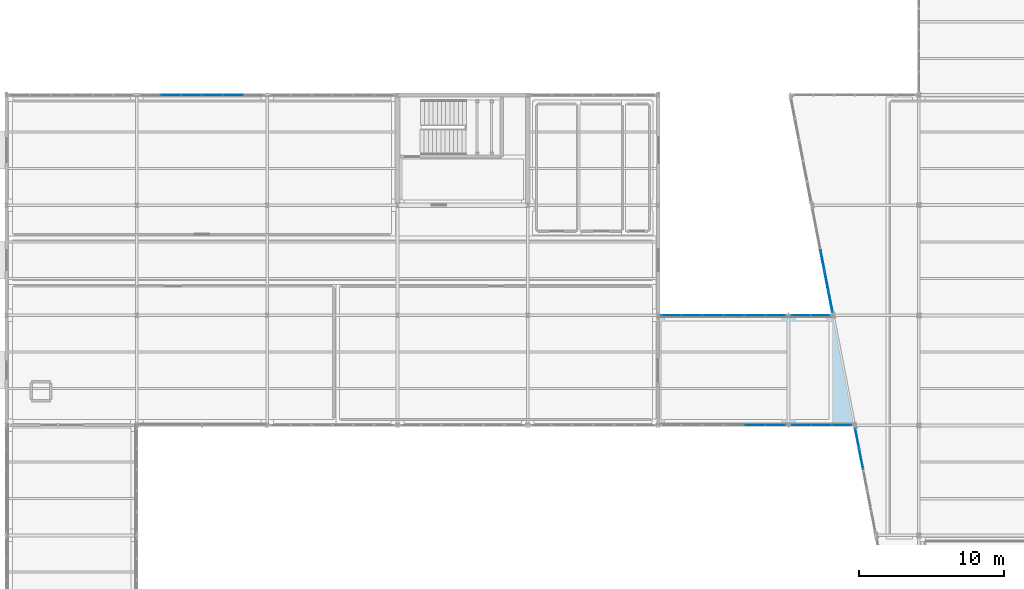
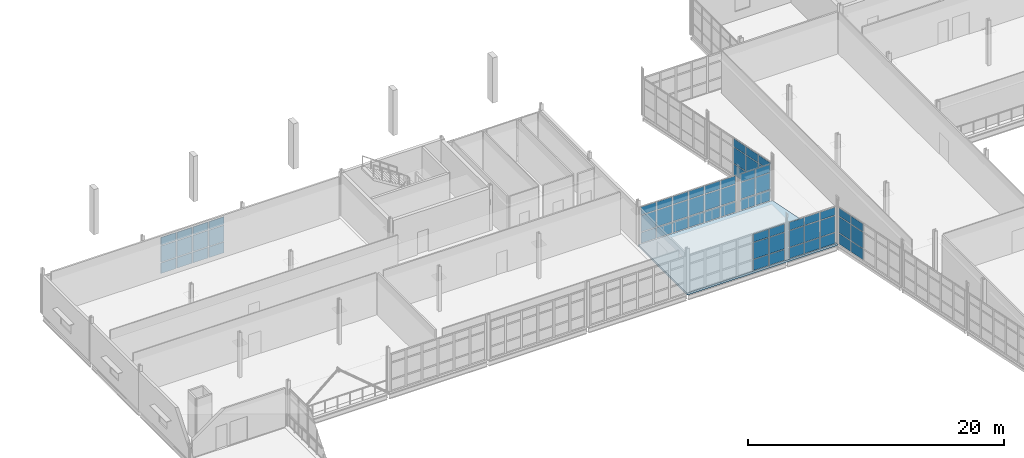
# One storey, part 133 of 166: 66 plates, 1 slab, 7 elements without a shape of their own.
"""IFC4 building model written with IfcOpenShell, lengths in metres."""

from ifc_helpers import new_model, si_unit, direction, frame, origin, origin_2d, place, context, subcontext, project, spatial, polyline, rectangle, outline, extrude, material, layer, layer_set, type_object, element, aggregate, save


model = new_model("IFC4")

# Units and contexts
model_context = context("Model", 3, precision=1e-05, world=origin(), true_north=direction((0.0, 1.0)))
body_context = subcontext(model_context, "Body", "Model", "MODEL_VIEW")
ifc_project = project(units=[si_unit("LENGTHUNIT", "METRE"), si_unit("AREAUNIT", "SQUARE_METRE"), si_unit("VOLUMEUNIT", "CUBIC_METRE"), si_unit("PLANEANGLEUNIT", "RADIAN"), si_unit("MASSUNIT", "GRAM", prefix="KILO")], contexts=[model_context])

# Site, building, storey
site_placement = place(None, origin())
site = spatial("IfcSite", under=ifc_project, at=site_placement, CompositionType="ELEMENT")
building_placement = place(site_placement, origin())
building = spatial("IfcBuilding", under=site, at=building_placement, Name="Caisbarro Railhouse Central Library", CompositionType="ELEMENT")
storey_placement = place(building_placement, frame((0.0, 0.0, 9.360107421875)))
storey = spatial("IfcBuildingStorey", under=building, at=storey_placement, Name="L02", CompositionType="ELEMENT", Elevation=9.360107421875)

# Curtain wall, plates
ifc_material_1 = material(Name="Anodised architectural aluminium", Category="aluminium")
curtain_wall_type_1 = type_object("IfcCurtainWallType", Name="CW-CW03", PredefinedType="NOTDEFINED", material=ifc_material_1)
curtain_wall_1_placement = place(storey_placement, origin())
curtain_wall_1 = element("IfcCurtainWall", 1, at=curtain_wall_1_placement, inside=storey, type_object=curtain_wall_type_1, Name="CW03 curtain wall L02 #208", PredefinedType="NOTDEFINED")
ifc_material_2 = material(Name="Double low-e laminated solar-control glass", Category="glass")
ifc_layer_1 = layer(ifc_material_2, 0.01806640625, Name="Double low-e laminated solar-control glass")
ifc_layer_set_1 = layer_set([ifc_layer_1], Name="Double low-e laminated solar-control glass")
plate_type_1 = type_object("IfcPlateType", Name="CWP-CP18", PredefinedType="CURTAIN_PANEL", material=ifc_layer_set_1)
plate_1_placement = place(storey_placement, frame((105.669921875, 83.60009765625, 0.06494140625), z_axis=(0.0, 0.0, 1.0), x_axis=(1.0, 0.0, 0.0)))
plate_1 = element("IfcPlate", 2, at=plate_1_placement, type_object=plate_type_1, Name="CW03 panel 5.1", PredefinedType="CURTAIN_PANEL", context=body_context, shape_type="SweptSolid", body=[
    extrude(rectangle(XDim=1.381591796875, YDim=0.01806640625, at=origin_2d()), origin(), (0.0, 0.0, 1.0), 1.0224609375),
])
plate_2_placement = place(storey_placement, frame((105.669921875, 83.60009765625, 1.15234375), z_axis=(0.0, 0.0, 1.0), x_axis=(1.0, 0.0, 0.0)))
plate_2 = element("IfcPlate", 3, at=plate_2_placement, type_object=plate_type_1, Name="CW03 panel 5.2", PredefinedType="CURTAIN_PANEL", context=body_context, shape_type="SweptSolid", body=[
    extrude(rectangle(XDim=1.381591796875, YDim=0.01806640625, at=origin_2d()), origin(), (0.0, 0.0, 1.0), 1.554931640625),
])
plate_3_placement = place(storey_placement, frame((105.669921875, 83.60009765625, 2.7724609375), z_axis=(0.0, 0.0, 1.0), x_axis=(1.0, 0.0, 0.0)))
plate_3 = element("IfcPlate", 4, at=plate_3_placement, type_object=plate_type_1, Name="CW03 panel 5.3", PredefinedType="CURTAIN_PANEL", context=body_context, shape_type="SweptSolid", body=[
    extrude(rectangle(XDim=1.381591796875, YDim=0.01806640625, at=origin_2d()), origin(), (0.0, 0.0, 1.0), 0.75244140625),
])
plate_4_placement = place(storey_placement, frame((107.100341796875, 83.60009765625, 0.06494140625), z_axis=(0.0, 0.0, 1.0), x_axis=(1.0, 0.0, 0.0)))
plate_4 = element("IfcPlate", 5, at=plate_4_placement, type_object=plate_type_1, Name="CW03 panel 6.1", PredefinedType="CURTAIN_PANEL", context=body_context, shape_type="SweptSolid", body=[
    extrude(rectangle(XDim=1.34912109375, YDim=0.01806640625, at=origin_2d()), origin(), (0.0, 0.0, 1.0), 1.0224609375),
])
plate_5_placement = place(storey_placement, frame((107.100341796875, 83.60009765625, 1.15234375), z_axis=(0.0, 0.0, 1.0), x_axis=(1.0, 0.0, 0.0)))
plate_5 = element("IfcPlate", 6, at=plate_5_placement, type_object=plate_type_1, Name="CW03 panel 6.2", PredefinedType="CURTAIN_PANEL", context=body_context, shape_type="SweptSolid", body=[
    extrude(rectangle(XDim=1.34912109375, YDim=0.01806640625, at=origin_2d()), origin(), (0.0, 0.0, 1.0), 1.554931640625),
])
plate_6_placement = place(storey_placement, frame((107.100341796875, 83.60009765625, 2.7724609375), z_axis=(0.0, 0.0, 1.0), x_axis=(1.0, 0.0, 0.0)))
plate_6 = element("IfcPlate", 7, at=plate_6_placement, type_object=plate_type_1, Name="CW03 panel 6.3", PredefinedType="CURTAIN_PANEL", context=body_context, shape_type="SweptSolid", body=[
    extrude(rectangle(XDim=1.34912109375, YDim=0.01806640625, at=origin_2d()), origin(), (0.0, 0.0, 1.0), 0.75244140625),
])
aggregate(curtain_wall_1, [plate_1, plate_2, plate_3, plate_4, plate_5, plate_6])

curtain_wall_2_placement = place(storey_placement, origin())
curtain_wall_2 = element("IfcCurtainWall", 8, at=curtain_wall_2_placement, inside=storey, type_object=curtain_wall_type_1, Name="CW03 curtain wall L02 #209", PredefinedType="NOTDEFINED")
plate_7_placement = place(storey_placement, frame((108.88427734375, 83.60009765625, 0.06494140625), z_axis=(0.0, 0.0, 1.0), x_axis=(1.0, 0.0, 0.0)))
plate_7 = element("IfcPlate", 9, at=plate_7_placement, type_object=plate_type_1, Name="CW03 panel 1.1", PredefinedType="CURTAIN_PANEL", context=body_context, shape_type="SweptSolid", body=[
    extrude(rectangle(XDim=1.318603515625, YDim=0.01806640625, at=origin_2d()), origin(), (0.0, 0.0, 1.0), 1.0224609375),
])
plate_8_placement = place(storey_placement, frame((108.88427734375, 83.60009765625, 1.15234375), z_axis=(0.0, 0.0, 1.0), x_axis=(1.0, 0.0, 0.0)))
plate_8 = element("IfcPlate", 10, at=plate_8_placement, type_object=plate_type_1, Name="CW03 panel 1.2", PredefinedType="CURTAIN_PANEL", context=body_context, shape_type="SweptSolid", body=[
    extrude(rectangle(XDim=1.318603515625, YDim=0.01806640625, at=origin_2d()), origin(), (0.0, 0.0, 1.0), 1.554931640625),
])
plate_9_placement = place(storey_placement, frame((108.88427734375, 83.60009765625, 2.7724609375), z_axis=(0.0, 0.0, 1.0), x_axis=(1.0, 0.0, 0.0)))
plate_9 = element("IfcPlate", 11, at=plate_9_placement, type_object=plate_type_1, Name="CW03 panel 1.3", PredefinedType="CURTAIN_PANEL", context=body_context, shape_type="SweptSolid", body=[
    extrude(rectangle(XDim=1.318603515625, YDim=0.01806640625, at=origin_2d()), origin(), (0.0, 0.0, 1.0), 0.75244140625),
])
plate_10_placement = place(storey_placement, frame((110.283935546875, 83.60009765625, 0.06494140625), z_axis=(0.0, 0.0, 1.0), x_axis=(1.0, 0.0, 0.0)))
plate_10 = element("IfcPlate", 12, at=plate_10_placement, type_object=plate_type_1, Name="CW03 panel 2.1", PredefinedType="CURTAIN_PANEL", context=body_context, shape_type="SweptSolid", body=[
    extrude(rectangle(XDim=1.35107421875, YDim=0.01806640625, at=origin_2d()), origin(), (0.0, 0.0, 1.0), 1.0224609375),
])
plate_11_placement = place(storey_placement, frame((110.283935546875, 83.60009765625, 1.15234375), z_axis=(0.0, 0.0, 1.0), x_axis=(1.0, 0.0, 0.0)))
plate_11 = element("IfcPlate", 13, at=plate_11_placement, type_object=plate_type_1, Name="CW03 panel 2.2", PredefinedType="CURTAIN_PANEL", context=body_context, shape_type="SweptSolid", body=[
    extrude(rectangle(XDim=1.35107421875, YDim=0.01806640625, at=origin_2d()), origin(), (0.0, 0.0, 1.0), 1.554931640625),
])
plate_12_placement = place(storey_placement, frame((110.283935546875, 83.60009765625, 2.7724609375), z_axis=(0.0, 0.0, 1.0), x_axis=(1.0, 0.0, 0.0)))
plate_12 = element("IfcPlate", 14, at=plate_12_placement, type_object=plate_type_1, Name="CW03 panel 2.3", PredefinedType="CURTAIN_PANEL", context=body_context, shape_type="SweptSolid", body=[
    extrude(rectangle(XDim=1.35107421875, YDim=0.01806640625, at=origin_2d()), origin(), (0.0, 0.0, 1.0), 0.75244140625),
])
plate_13_placement = place(storey_placement, frame((111.683837890625, 83.60009765625, 0.06494140625), z_axis=(0.0, 0.0, 1.0), x_axis=(1.0, 0.0, 0.0)))
plate_13 = element("IfcPlate", 15, at=plate_13_placement, type_object=plate_type_1, Name="CW03 panel 3.1", PredefinedType="CURTAIN_PANEL", context=body_context, shape_type="SweptSolid", body=[
    extrude(rectangle(XDim=1.318603515625, YDim=0.01806640625, at=origin_2d()), origin(), (0.0, 0.0, 1.0), 1.0224609375),
])
plate_14_placement = place(storey_placement, frame((111.683837890625, 83.60009765625, 1.15234375), z_axis=(0.0, 0.0, 1.0), x_axis=(1.0, 0.0, 0.0)))
plate_14 = element("IfcPlate", 16, at=plate_14_placement, type_object=plate_type_1, Name="CW03 panel 3.2", PredefinedType="CURTAIN_PANEL", context=body_context, shape_type="SweptSolid", body=[
    extrude(rectangle(XDim=1.318603515625, YDim=0.01806640625, at=origin_2d()), origin(), (0.0, 0.0, 1.0), 1.554931640625),
])
plate_15_placement = place(storey_placement, frame((111.683837890625, 83.60009765625, 2.7724609375), z_axis=(0.0, 0.0, 1.0), x_axis=(1.0, 0.0, 0.0)))
plate_15 = element("IfcPlate", 17, at=plate_15_placement, type_object=plate_type_1, Name="CW03 panel 3.3", PredefinedType="CURTAIN_PANEL", context=body_context, shape_type="SweptSolid", body=[
    extrude(rectangle(XDim=1.318603515625, YDim=0.01806640625, at=origin_2d()), origin(), (0.0, 0.0, 1.0), 0.75244140625),
])
aggregate(curtain_wall_2, [plate_7, plate_8, plate_9, plate_10, plate_11, plate_12, plate_13, plate_14, plate_15])

curtain_wall_3_placement = place(storey_placement, origin())
curtain_wall_3 = element("IfcCurtainWall", 18, at=curtain_wall_3_placement, inside=storey, type_object=curtain_wall_type_1, Name="CW03 curtain wall L02 #210", PredefinedType="NOTDEFINED")
plate_16_placement = place(storey_placement, frame((99.899658203125, 91.199951171875, 0.06494140625), z_axis=(0.0, 0.0, 1.0), x_axis=(1.0, 0.0, 0.0)))
plate_16 = element("IfcPlate", 19, at=plate_16_placement, type_object=plate_type_1, Name="CW03 panel 1.1", PredefinedType="CURTAIN_PANEL", context=body_context, shape_type="SweptSolid", body=[
    extrude(rectangle(XDim=1.34912109375, YDim=0.01806640625, at=origin_2d()), origin(), (0.0, 0.0, 1.0), 1.0224609375),
])
plate_17_placement = place(storey_placement, frame((99.899658203125, 91.199951171875, 1.15234375), z_axis=(0.0, 0.0, 1.0), x_axis=(1.0, 0.0, 0.0)))
plate_17 = element("IfcPlate", 20, at=plate_17_placement, type_object=plate_type_1, Name="CW03 panel 1.2", PredefinedType="CURTAIN_PANEL", context=body_context, shape_type="SweptSolid", body=[
    extrude(rectangle(XDim=1.34912109375, YDim=0.01806640625, at=origin_2d()), origin(), (0.0, 0.0, 1.0), 1.554931640625),
])
plate_18_placement = place(storey_placement, frame((99.899658203125, 91.199951171875, 2.7724609375), z_axis=(0.0, 0.0, 1.0), x_axis=(1.0, 0.0, 0.0)))
plate_18 = element("IfcPlate", 21, at=plate_18_placement, type_object=plate_type_1, Name="CW03 panel 1.3", PredefinedType="CURTAIN_PANEL", context=body_context, shape_type="SweptSolid", body=[
    extrude(rectangle(XDim=1.34912109375, YDim=0.01806640625, at=origin_2d()), origin(), (0.0, 0.0, 1.0), 0.75244140625),
])
plate_19_placement = place(storey_placement, frame((101.330078125, 91.199951171875, 0.06494140625), z_axis=(0.0, 0.0, 1.0), x_axis=(1.0, 0.0, 0.0)))
plate_19 = element("IfcPlate", 22, at=plate_19_placement, type_object=plate_type_1, Name="CW03 panel 2.1", PredefinedType="CURTAIN_PANEL", context=body_context, shape_type="SweptSolid", body=[
    extrude(rectangle(XDim=1.381591796875, YDim=0.01806640625, at=origin_2d()), origin(), (0.0, 0.0, 1.0), 1.0224609375),
])
plate_20_placement = place(storey_placement, frame((101.330078125, 91.199951171875, 1.15234375), z_axis=(0.0, 0.0, 1.0), x_axis=(1.0, 0.0, 0.0)))
plate_20 = element("IfcPlate", 23, at=plate_20_placement, type_object=plate_type_1, Name="CW03 panel 2.2", PredefinedType="CURTAIN_PANEL", context=body_context, shape_type="SweptSolid", body=[
    extrude(rectangle(XDim=1.381591796875, YDim=0.01806640625, at=origin_2d()), origin(), (0.0, 0.0, 1.0), 1.554931640625),
])
plate_21_placement = place(storey_placement, frame((101.330078125, 91.199951171875, 2.7724609375), z_axis=(0.0, 0.0, 1.0), x_axis=(1.0, 0.0, 0.0)))
plate_21 = element("IfcPlate", 24, at=plate_21_placement, type_object=plate_type_1, Name="CW03 panel 2.3", PredefinedType="CURTAIN_PANEL", context=body_context, shape_type="SweptSolid", body=[
    extrude(rectangle(XDim=1.381591796875, YDim=0.01806640625, at=origin_2d()), origin(), (0.0, 0.0, 1.0), 0.75244140625),
])
plate_22_placement = place(storey_placement, frame((102.776611328125, 91.199951171875, 0.06494140625), z_axis=(0.0, 0.0, 1.0), x_axis=(1.0, 0.0, 0.0)))
plate_22 = element("IfcPlate", 25, at=plate_22_placement, type_object=plate_type_1, Name="CW03 panel 3.1", PredefinedType="CURTAIN_PANEL", context=body_context, shape_type="SweptSolid", body=[
    extrude(rectangle(XDim=1.381591796875, YDim=0.01806640625, at=origin_2d()), origin(), (0.0, 0.0, 1.0), 1.0224609375),
])
plate_23_placement = place(storey_placement, frame((102.776611328125, 91.199951171875, 1.15234375), z_axis=(0.0, 0.0, 1.0), x_axis=(1.0, 0.0, 0.0)))
plate_23 = element("IfcPlate", 26, at=plate_23_placement, type_object=plate_type_1, Name="CW03 panel 3.2", PredefinedType="CURTAIN_PANEL", context=body_context, shape_type="SweptSolid", body=[
    extrude(rectangle(XDim=1.381591796875, YDim=0.01806640625, at=origin_2d()), origin(), (0.0, 0.0, 1.0), 1.554931640625),
])
plate_24_placement = place(storey_placement, frame((102.776611328125, 91.199951171875, 2.7724609375), z_axis=(0.0, 0.0, 1.0), x_axis=(1.0, 0.0, 0.0)))
plate_24 = element("IfcPlate", 27, at=plate_24_placement, type_object=plate_type_1, Name="CW03 panel 3.3", PredefinedType="CURTAIN_PANEL", context=body_context, shape_type="SweptSolid", body=[
    extrude(rectangle(XDim=1.381591796875, YDim=0.01806640625, at=origin_2d()), origin(), (0.0, 0.0, 1.0), 0.75244140625),
])
plate_25_placement = place(storey_placement, frame((104.223388671875, 91.199951171875, 0.06494140625), z_axis=(0.0, 0.0, 1.0), x_axis=(1.0, 0.0, 0.0)))
plate_25 = element("IfcPlate", 28, at=plate_25_placement, type_object=plate_type_1, Name="CW03 panel 4.1", PredefinedType="CURTAIN_PANEL", context=body_context, shape_type="SweptSolid", body=[
    extrude(rectangle(XDim=1.381591796875, YDim=0.01806640625, at=origin_2d()), origin(), (0.0, 0.0, 1.0), 1.0224609375),
])
plate_26_placement = place(storey_placement, frame((104.223388671875, 91.199951171875, 1.15234375), z_axis=(0.0, 0.0, 1.0), x_axis=(1.0, 0.0, 0.0)))
plate_26 = element("IfcPlate", 29, at=plate_26_placement, type_object=plate_type_1, Name="CW03 panel 4.2", PredefinedType="CURTAIN_PANEL", context=body_context, shape_type="SweptSolid", body=[
    extrude(rectangle(XDim=1.381591796875, YDim=0.01806640625, at=origin_2d()), origin(), (0.0, 0.0, 1.0), 1.554931640625),
])
plate_27_placement = place(storey_placement, frame((104.223388671875, 91.199951171875, 2.7724609375), z_axis=(0.0, 0.0, 1.0), x_axis=(1.0, 0.0, 0.0)))
plate_27 = element("IfcPlate", 30, at=plate_27_placement, type_object=plate_type_1, Name="CW03 panel 4.3", PredefinedType="CURTAIN_PANEL", context=body_context, shape_type="SweptSolid", body=[
    extrude(rectangle(XDim=1.381591796875, YDim=0.01806640625, at=origin_2d()), origin(), (0.0, 0.0, 1.0), 0.75244140625),
])
plate_28_placement = place(storey_placement, frame((105.669921875, 91.199951171875, 0.06494140625), z_axis=(0.0, 0.0, 1.0), x_axis=(1.0, 0.0, 0.0)))
plate_28 = element("IfcPlate", 31, at=plate_28_placement, type_object=plate_type_1, Name="CW03 panel 5.1", PredefinedType="CURTAIN_PANEL", context=body_context, shape_type="SweptSolid", body=[
    extrude(rectangle(XDim=1.381591796875, YDim=0.01806640625, at=origin_2d()), origin(), (0.0, 0.0, 1.0), 1.0224609375),
])
plate_29_placement = place(storey_placement, frame((105.669921875, 91.199951171875, 1.15234375), z_axis=(0.0, 0.0, 1.0), x_axis=(1.0, 0.0, 0.0)))
plate_29 = element("IfcPlate", 32, at=plate_29_placement, type_object=plate_type_1, Name="CW03 panel 5.2", PredefinedType="CURTAIN_PANEL", context=body_context, shape_type="SweptSolid", body=[
    extrude(rectangle(XDim=1.381591796875, YDim=0.01806640625, at=origin_2d()), origin(), (0.0, 0.0, 1.0), 1.554931640625),
])
plate_30_placement = place(storey_placement, frame((105.669921875, 91.199951171875, 2.7724609375), z_axis=(0.0, 0.0, 1.0), x_axis=(1.0, 0.0, 0.0)))
plate_30 = element("IfcPlate", 33, at=plate_30_placement, type_object=plate_type_1, Name="CW03 panel 5.3", PredefinedType="CURTAIN_PANEL", context=body_context, shape_type="SweptSolid", body=[
    extrude(rectangle(XDim=1.381591796875, YDim=0.01806640625, at=origin_2d()), origin(), (0.0, 0.0, 1.0), 0.75244140625),
])
plate_31_placement = place(storey_placement, frame((107.100341796875, 91.199951171875, 0.06494140625), z_axis=(0.0, 0.0, 1.0), x_axis=(1.0, 0.0, 0.0)))
plate_31 = element("IfcPlate", 34, at=plate_31_placement, type_object=plate_type_1, Name="CW03 panel 6.1", PredefinedType="CURTAIN_PANEL", context=body_context, shape_type="SweptSolid", body=[
    extrude(rectangle(XDim=1.34912109375, YDim=0.01806640625, at=origin_2d()), origin(), (0.0, 0.0, 1.0), 1.0224609375),
])
plate_32_placement = place(storey_placement, frame((107.100341796875, 91.199951171875, 1.15234375), z_axis=(0.0, 0.0, 1.0), x_axis=(1.0, 0.0, 0.0)))
plate_32 = element("IfcPlate", 35, at=plate_32_placement, type_object=plate_type_1, Name="CW03 panel 6.2", PredefinedType="CURTAIN_PANEL", context=body_context, shape_type="SweptSolid", body=[
    extrude(rectangle(XDim=1.34912109375, YDim=0.01806640625, at=origin_2d()), origin(), (0.0, 0.0, 1.0), 1.554931640625),
])
plate_33_placement = place(storey_placement, frame((107.100341796875, 91.199951171875, 2.7724609375), z_axis=(0.0, 0.0, 1.0), x_axis=(1.0, 0.0, 0.0)))
plate_33 = element("IfcPlate", 36, at=plate_33_placement, type_object=plate_type_1, Name="CW03 panel 6.3", PredefinedType="CURTAIN_PANEL", context=body_context, shape_type="SweptSolid", body=[
    extrude(rectangle(XDim=1.34912109375, YDim=0.01806640625, at=origin_2d()), origin(), (0.0, 0.0, 1.0), 0.75244140625),
])
aggregate(curtain_wall_3, [plate_16, plate_17, plate_18, plate_19, plate_20, plate_21, plate_22, plate_23, plate_24, plate_25, plate_26, plate_27, plate_28, plate_29, plate_30, plate_31, plate_32, plate_33])

curtain_wall_4_placement = place(storey_placement, origin())
curtain_wall_4 = element("IfcCurtainWall", 37, at=curtain_wall_4_placement, inside=storey, type_object=curtain_wall_type_1, Name="CW03 curtain wall L02 #211", PredefinedType="NOTDEFINED")
plate_34_placement = place(storey_placement, frame((108.868896484375, 91.199951171875, 0.06494140625), z_axis=(0.0, 0.0, 1.0), x_axis=(1.0, 0.0, 0.0)))
plate_34 = element("IfcPlate", 38, at=plate_34_placement, type_object=plate_type_1, Name="CW03 panel 1.1", PredefinedType="CURTAIN_PANEL", context=body_context, shape_type="SweptSolid", body=[
    extrude(rectangle(XDim=1.2880859375, YDim=0.01806640625, at=origin_2d()), origin(), (0.0, 0.0, 1.0), 1.0224609375),
])
plate_35_placement = place(storey_placement, frame((108.868896484375, 91.199951171875, 1.15234375), z_axis=(0.0, 0.0, 1.0), x_axis=(1.0, 0.0, 0.0)))
plate_35 = element("IfcPlate", 39, at=plate_35_placement, type_object=plate_type_1, Name="CW03 panel 1.2", PredefinedType="CURTAIN_PANEL", context=body_context, shape_type="SweptSolid", body=[
    extrude(rectangle(XDim=1.2880859375, YDim=0.01806640625, at=origin_2d()), origin(), (0.0, 0.0, 1.0), 1.554931640625),
])
plate_36_placement = place(storey_placement, frame((108.868896484375, 91.199951171875, 2.7724609375), z_axis=(0.0, 0.0, 1.0), x_axis=(1.0, 0.0, 0.0)))
plate_36 = element("IfcPlate", 40, at=plate_36_placement, type_object=plate_type_1, Name="CW03 panel 1.3", PredefinedType="CURTAIN_PANEL", context=body_context, shape_type="SweptSolid", body=[
    extrude(rectangle(XDim=1.2880859375, YDim=0.01806640625, at=origin_2d()), origin(), (0.0, 0.0, 1.0), 0.75244140625),
])
plate_37_placement = place(storey_placement, frame((110.221923828125, 91.199951171875, 0.06494140625), z_axis=(0.0, 0.0, 1.0), x_axis=(1.0, 0.0, 0.0)))
plate_37 = element("IfcPlate", 41, at=plate_37_placement, type_object=plate_type_1, Name="CW03 panel 2.1", PredefinedType="CURTAIN_PANEL", context=body_context, shape_type="SweptSolid", body=[
    extrude(rectangle(XDim=1.2880859375, YDim=0.01806640625, at=origin_2d()), origin(), (0.0, 0.0, 1.0), 1.0224609375),
])
plate_38_placement = place(storey_placement, frame((110.221923828125, 91.199951171875, 1.15234375), z_axis=(0.0, 0.0, 1.0), x_axis=(1.0, 0.0, 0.0)))
plate_38 = element("IfcPlate", 42, at=plate_38_placement, type_object=plate_type_1, Name="CW03 panel 2.2", PredefinedType="CURTAIN_PANEL", context=body_context, shape_type="SweptSolid", body=[
    extrude(rectangle(XDim=1.2880859375, YDim=0.01806640625, at=origin_2d()), origin(), (0.0, 0.0, 1.0), 1.554931640625),
])
plate_39_placement = place(storey_placement, frame((110.221923828125, 91.199951171875, 2.7724609375), z_axis=(0.0, 0.0, 1.0), x_axis=(1.0, 0.0, 0.0)))
plate_39 = element("IfcPlate", 43, at=plate_39_placement, type_object=plate_type_1, Name="CW03 panel 2.3", PredefinedType="CURTAIN_PANEL", context=body_context, shape_type="SweptSolid", body=[
    extrude(rectangle(XDim=1.2880859375, YDim=0.01806640625, at=origin_2d()), origin(), (0.0, 0.0, 1.0), 0.75244140625),
])
aggregate(curtain_wall_4, [plate_34, plate_35, plate_36, plate_37, plate_38, plate_39])

curtain_wall_type_2 = type_object("IfcCurtainWallType", Name="CW-CW02", PredefinedType="NOTDEFINED", material=ifc_material_1)
curtain_wall_5_placement = place(storey_placement, origin())
curtain_wall_5 = element("IfcCurtainWall", 44, at=curtain_wall_5_placement, inside=storey, type_object=curtain_wall_type_2, Name="CW02 curtain wall L02 #128", PredefinedType="NOTDEFINED")
ifc_layer_2 = layer(ifc_material_2, 0.0380859375, Name="Double low-e laminated solar-control glass")
ifc_layer_set_2 = layer_set([ifc_layer_2], Name="Double low-e laminated solar-control glass")
plate_type_2 = type_object("IfcPlateType", Name="CWP-CP38", PredefinedType="CURTAIN_PANEL", material=ifc_layer_set_2)
plate_40_placement = place(storey_placement, frame((113.023193359375, 81.257080078125, 0.06494140625), z_axis=(0.0, 0.0, 1.0), x_axis=(-0.190780945369, 0.981632635401, 0.0)))
plate_40 = element("IfcPlate", 45, at=plate_40_placement, type_object=plate_type_2, Name="CW02 panel 4.1", PredefinedType="CURTAIN_PANEL", context=body_context, shape_type="SweptSolid", body=[
    extrude(rectangle(XDim=1.409423828125, YDim=0.0380859375, at=origin_2d()), origin(), (0.0, 0.0, 1.0), 1.0224609375),
])
plate_41_placement = place(storey_placement, frame((113.023193359375, 81.257080078125, 1.15234375), z_axis=(0.0, 0.0, 1.0), x_axis=(-0.190780945369, 0.981632635401, 0.0)))
plate_41 = element("IfcPlate", 46, at=plate_41_placement, type_object=plate_type_2, Name="CW02 panel 4.2", PredefinedType="CURTAIN_PANEL", context=body_context, shape_type="SweptSolid", body=[
    extrude(rectangle(XDim=1.409423828125, YDim=0.0380859375, at=origin_2d()), origin(), (0.0, 0.0, 1.0), 1.52490234375),
])
plate_42_placement = place(storey_placement, frame((113.023193359375, 81.257080078125, 2.742431640625), z_axis=(0.0, 0.0, 1.0), x_axis=(-0.190780945369, 0.981632635401, 0.0)))
plate_42 = element("IfcPlate", 47, at=plate_42_placement, type_object=plate_type_2, Name="CW02 panel 4.3", PredefinedType="CURTAIN_PANEL", context=body_context, shape_type="SweptSolid", body=[
    extrude(rectangle(XDim=1.409423828125, YDim=0.0380859375, at=origin_2d()), origin(), (0.0, 0.0, 1.0), 0.75244140625),
])
plate_43_placement = place(storey_placement, frame((112.74365234375, 82.69580078125, 0.06494140625), z_axis=(0.0, 0.0, 1.0), x_axis=(-0.190780945369, 0.981632635401, 0.0)))
plate_43 = element("IfcPlate", 48, at=plate_43_placement, type_object=plate_type_2, Name="CW02 panel 5.1", PredefinedType="CURTAIN_PANEL", context=body_context, shape_type="SweptSolid", body=[
    extrude(rectangle(XDim=1.371826171875, YDim=0.0380859375, at=origin_2d()), origin(), (0.0, 0.0, 1.0), 1.0224609375),
])
plate_44_placement = place(storey_placement, frame((112.74365234375, 82.69580078125, 1.15234375), z_axis=(0.0, 0.0, 1.0), x_axis=(-0.190780945369, 0.981632635401, 0.0)))
plate_44 = element("IfcPlate", 49, at=plate_44_placement, type_object=plate_type_2, Name="CW02 panel 5.2", PredefinedType="CURTAIN_PANEL", context=body_context, shape_type="SweptSolid", body=[
    extrude(rectangle(XDim=1.371826171875, YDim=0.0380859375, at=origin_2d()), origin(), (0.0, 0.0, 1.0), 1.52490234375),
])
plate_45_placement = place(storey_placement, frame((112.74365234375, 82.69580078125, 2.742431640625), z_axis=(0.0, 0.0, 1.0), x_axis=(-0.190780945369, 0.981632635401, 0.0)))
plate_45 = element("IfcPlate", 50, at=plate_45_placement, type_object=plate_type_2, Name="CW02 panel 5.3", PredefinedType="CURTAIN_PANEL", context=body_context, shape_type="SweptSolid", body=[
    extrude(rectangle(XDim=1.371826171875, YDim=0.0380859375, at=origin_2d()), origin(), (0.0, 0.0, 1.0), 0.75244140625),
])
aggregate(curtain_wall_5, [plate_40, plate_41, plate_42, plate_43, plate_44, plate_45])

curtain_wall_6_placement = place(storey_placement, origin())
curtain_wall_6 = element("IfcCurtainWall", 51, at=curtain_wall_6_placement, inside=storey, type_object=curtain_wall_type_1, Name="CW03 curtain wall L02 #181", PredefinedType="NOTDEFINED")
plate_46_placement = place(storey_placement, frame((65.330078125, 106.39990234375, 0.07470703125), z_axis=(0.0, 0.0, 1.0), x_axis=(1.0, 0.0, 0.0)))
plate_46 = element("IfcPlate", 52, at=plate_46_placement, type_object=plate_type_2, Name="CW03 panel 2.1", PredefinedType="CURTAIN_PANEL", context=body_context, shape_type="SweptSolid", body=[
    extrude(rectangle(XDim=1.381591796875, YDim=0.0380859375, at=origin_2d()), origin(), (0.0, 0.0, 1.0), 1.007568359375),
])
plate_47_placement = place(storey_placement, frame((65.330078125, 106.39990234375, 1.1572265625), z_axis=(0.0, 0.0, 1.0), x_axis=(1.0, 0.0, 0.0)))
plate_47 = element("IfcPlate", 53, at=plate_47_placement, type_object=plate_type_2, Name="CW03 panel 2.2", PredefinedType="CURTAIN_PANEL", context=body_context, shape_type="SweptSolid", body=[
    extrude(rectangle(XDim=1.381591796875, YDim=0.0380859375, at=origin_2d()), origin(), (0.0, 0.0, 1.0), 1.534912109375),
])
plate_48_placement = place(storey_placement, frame((65.330078125, 106.39990234375, 2.767578125), z_axis=(0.0, 0.0, 1.0), x_axis=(1.0, 0.0, 0.0)))
plate_48 = element("IfcPlate", 54, at=plate_48_placement, type_object=plate_type_2, Name="CW03 panel 2.3", PredefinedType="CURTAIN_PANEL", context=body_context, shape_type="SweptSolid", body=[
    extrude(rectangle(XDim=1.381591796875, YDim=0.0380859375, at=origin_2d()), origin(), (0.0, 0.0, 1.0), 0.737548828125),
])
plate_49_placement = place(storey_placement, frame((66.776611328125, 106.39990234375, 0.07470703125), z_axis=(0.0, 0.0, 1.0), x_axis=(1.0, 0.0, 0.0)))
plate_49 = element("IfcPlate", 55, at=plate_49_placement, type_object=plate_type_2, Name="CW03 panel 3.1", PredefinedType="CURTAIN_PANEL", context=body_context, shape_type="SweptSolid", body=[
    extrude(rectangle(XDim=1.381591796875, YDim=0.0380859375, at=origin_2d()), origin(), (0.0, 0.0, 1.0), 1.007568359375),
])
plate_50_placement = place(storey_placement, frame((66.776611328125, 106.39990234375, 1.1572265625), z_axis=(0.0, 0.0, 1.0), x_axis=(1.0, 0.0, 0.0)))
plate_50 = element("IfcPlate", 56, at=plate_50_placement, type_object=plate_type_2, Name="CW03 panel 3.2", PredefinedType="CURTAIN_PANEL", context=body_context, shape_type="SweptSolid", body=[
    extrude(rectangle(XDim=1.381591796875, YDim=0.0380859375, at=origin_2d()), origin(), (0.0, 0.0, 1.0), 1.534912109375),
])
plate_51_placement = place(storey_placement, frame((66.776611328125, 106.39990234375, 2.767578125), z_axis=(0.0, 0.0, 1.0), x_axis=(1.0, 0.0, 0.0)))
plate_51 = element("IfcPlate", 57, at=plate_51_placement, type_object=plate_type_2, Name="CW03 panel 3.3", PredefinedType="CURTAIN_PANEL", context=body_context, shape_type="SweptSolid", body=[
    extrude(rectangle(XDim=1.381591796875, YDim=0.0380859375, at=origin_2d()), origin(), (0.0, 0.0, 1.0), 0.737548828125),
])
plate_52_placement = place(storey_placement, frame((68.223388671875, 106.39990234375, 0.07470703125), z_axis=(0.0, 0.0, 1.0), x_axis=(1.0, 0.0, 0.0)))
plate_52 = element("IfcPlate", 58, at=plate_52_placement, type_object=plate_type_2, Name="CW03 panel 4.1", PredefinedType="CURTAIN_PANEL", context=body_context, shape_type="SweptSolid", body=[
    extrude(rectangle(XDim=1.381591796875, YDim=0.0380859375, at=origin_2d()), origin(), (0.0, 0.0, 1.0), 1.007568359375),
])
plate_53_placement = place(storey_placement, frame((68.223388671875, 106.39990234375, 1.1572265625), z_axis=(0.0, 0.0, 1.0), x_axis=(1.0, 0.0, 0.0)))
plate_53 = element("IfcPlate", 59, at=plate_53_placement, type_object=plate_type_2, Name="CW03 panel 4.2", PredefinedType="CURTAIN_PANEL", context=body_context, shape_type="SweptSolid", body=[
    extrude(rectangle(XDim=1.381591796875, YDim=0.0380859375, at=origin_2d()), origin(), (0.0, 0.0, 1.0), 1.534912109375),
])
plate_54_placement = place(storey_placement, frame((68.223388671875, 106.39990234375, 2.767578125), z_axis=(0.0, 0.0, 1.0), x_axis=(1.0, 0.0, 0.0)))
plate_54 = element("IfcPlate", 60, at=plate_54_placement, type_object=plate_type_2, Name="CW03 panel 4.3", PredefinedType="CURTAIN_PANEL", context=body_context, shape_type="SweptSolid", body=[
    extrude(rectangle(XDim=1.381591796875, YDim=0.0380859375, at=origin_2d()), origin(), (0.0, 0.0, 1.0), 0.737548828125),
])
plate_55_placement = place(storey_placement, frame((69.669921875, 106.39990234375, 0.07470703125), z_axis=(0.0, 0.0, 1.0), x_axis=(1.0, 0.0, 0.0)))
plate_55 = element("IfcPlate", 61, at=plate_55_placement, type_object=plate_type_2, Name="CW03 panel 5.1", PredefinedType="CURTAIN_PANEL", context=body_context, shape_type="SweptSolid", body=[
    extrude(rectangle(XDim=1.381591796875, YDim=0.0380859375, at=origin_2d()), origin(), (0.0, 0.0, 1.0), 1.007568359375),
])
plate_56_placement = place(storey_placement, frame((69.669921875, 106.39990234375, 1.1572265625), z_axis=(0.0, 0.0, 1.0), x_axis=(1.0, 0.0, 0.0)))
plate_56 = element("IfcPlate", 62, at=plate_56_placement, type_object=plate_type_2, Name="CW03 panel 5.2", PredefinedType="CURTAIN_PANEL", context=body_context, shape_type="SweptSolid", body=[
    extrude(rectangle(XDim=1.381591796875, YDim=0.0380859375, at=origin_2d()), origin(), (0.0, 0.0, 1.0), 1.534912109375),
])
plate_57_placement = place(storey_placement, frame((69.669921875, 106.39990234375, 2.767578125), z_axis=(0.0, 0.0, 1.0), x_axis=(1.0, 0.0, 0.0)))
plate_57 = element("IfcPlate", 63, at=plate_57_placement, type_object=plate_type_2, Name="CW03 panel 5.3", PredefinedType="CURTAIN_PANEL", context=body_context, shape_type="SweptSolid", body=[
    extrude(rectangle(XDim=1.381591796875, YDim=0.0380859375, at=origin_2d()), origin(), (0.0, 0.0, 1.0), 0.737548828125),
])
aggregate(curtain_wall_6, [plate_46, plate_47, plate_48, plate_49, plate_50, plate_51, plate_52, plate_53, plate_54, plate_55, plate_56, plate_57])

curtain_wall_7_placement = place(storey_placement, origin())
curtain_wall_7 = element("IfcCurtainWall", 64, at=curtain_wall_7_placement, inside=storey, type_object=curtain_wall_type_2, Name="CW02 curtain wall L02 #129", PredefinedType="NOTDEFINED")
ifc_layer_3 = layer(ifc_material_2, 0.05810546875, Name="Double low-e laminated solar-control glass")
ifc_layer_set_3 = layer_set([ifc_layer_3], Name="Double low-e laminated solar-control glass")
plate_type_3 = type_object("IfcPlateType", Name="CWP-CP58", PredefinedType="CURTAIN_PANEL", material=ifc_layer_set_3)
plate_58_placement = place(storey_placement, frame((110.915283203125, 92.10400390625, 0.06494140625), z_axis=(0.0, 0.0, 1.0), x_axis=(-0.190780945369, 0.981632635401, 0.0)))
plate_58 = element("IfcPlate", 65, at=plate_58_placement, type_object=plate_type_3, Name="CW02 panel 1.1", PredefinedType="CURTAIN_PANEL", context=body_context, shape_type="SweptSolid", body=[
    extrude(rectangle(XDim=1.371826171875, YDim=0.05810546875, at=origin_2d()), origin(), (0.0, 0.0, 1.0), 1.0224609375),
])
plate_59_placement = place(storey_placement, frame((110.915283203125, 92.10400390625, 1.15234375), z_axis=(0.0, 0.0, 1.0), x_axis=(-0.190780945369, 0.981632635401, 0.0)))
plate_59 = element("IfcPlate", 66, at=plate_59_placement, type_object=plate_type_3, Name="CW02 panel 1.2", PredefinedType="CURTAIN_PANEL", context=body_context, shape_type="SweptSolid", body=[
    extrude(rectangle(XDim=1.371826171875, YDim=0.05810546875, at=origin_2d()), origin(), (0.0, 0.0, 1.0), 1.52490234375),
])
plate_60_placement = place(storey_placement, frame((110.915283203125, 92.10400390625, 2.742431640625), z_axis=(0.0, 0.0, 1.0), x_axis=(-0.190780945369, 0.981632635401, 0.0)))
plate_60 = element("IfcPlate", 67, at=plate_60_placement, type_object=plate_type_3, Name="CW02 panel 1.3", PredefinedType="CURTAIN_PANEL", context=body_context, shape_type="SweptSolid", body=[
    extrude(rectangle(XDim=1.371826171875, YDim=0.05810546875, at=origin_2d()), origin(), (0.0, 0.0, 1.0), 0.75244140625),
])
plate_61_placement = place(storey_placement, frame((110.6357421875, 93.542724609375, 0.06494140625), z_axis=(0.0, 0.0, 1.0), x_axis=(-0.190780945369, 0.981632635401, 0.0)))
plate_61 = element("IfcPlate", 68, at=plate_61_placement, type_object=plate_type_3, Name="CW02 panel 2.1", PredefinedType="CURTAIN_PANEL", context=body_context, shape_type="SweptSolid", body=[
    extrude(rectangle(XDim=1.409423828125, YDim=0.05810546875, at=origin_2d()), origin(), (0.0, 0.0, 1.0), 1.0224609375),
])
plate_62_placement = place(storey_placement, frame((110.6357421875, 93.542724609375, 1.15234375), z_axis=(0.0, 0.0, 1.0), x_axis=(-0.190780945369, 0.981632635401, 0.0)))
plate_62 = element("IfcPlate", 69, at=plate_62_placement, type_object=plate_type_3, Name="CW02 panel 2.2", PredefinedType="CURTAIN_PANEL", context=body_context, shape_type="SweptSolid", body=[
    extrude(rectangle(XDim=1.409423828125, YDim=0.05810546875, at=origin_2d()), origin(), (0.0, 0.0, 1.0), 1.52490234375),
])
plate_63_placement = place(storey_placement, frame((110.6357421875, 93.542724609375, 2.742431640625), z_axis=(0.0, 0.0, 1.0), x_axis=(-0.190780945369, 0.981632635401, 0.0)))
plate_63 = element("IfcPlate", 70, at=plate_63_placement, type_object=plate_type_3, Name="CW02 panel 2.3", PredefinedType="CURTAIN_PANEL", context=body_context, shape_type="SweptSolid", body=[
    extrude(rectangle(XDim=1.409423828125, YDim=0.05810546875, at=origin_2d()), origin(), (0.0, 0.0, 1.0), 0.75244140625),
])
plate_64_placement = place(storey_placement, frame((110.3525390625, 95.0, 0.06494140625), z_axis=(0.0, 0.0, 1.0), x_axis=(-0.190780945369, 0.981632635401, 0.0)))
plate_64 = element("IfcPlate", 71, at=plate_64_placement, type_object=plate_type_3, Name="CW02 panel 3.1", PredefinedType="CURTAIN_PANEL", context=body_context, shape_type="SweptSolid", body=[
    extrude(rectangle(XDim=1.409423828125, YDim=0.05810546875, at=origin_2d()), origin(), (0.0, 0.0, 1.0), 1.0224609375),
])
plate_65_placement = place(storey_placement, frame((110.3525390625, 95.0, 1.15234375), z_axis=(0.0, 0.0, 1.0), x_axis=(-0.190780945369, 0.981632635401, 0.0)))
plate_65 = element("IfcPlate", 72, at=plate_65_placement, type_object=plate_type_3, Name="CW02 panel 3.2", PredefinedType="CURTAIN_PANEL", context=body_context, shape_type="SweptSolid", body=[
    extrude(rectangle(XDim=1.409423828125, YDim=0.05810546875, at=origin_2d()), origin(), (0.0, 0.0, 1.0), 1.52490234375),
])
plate_66_placement = place(storey_placement, frame((110.3525390625, 95.0, 2.742431640625), z_axis=(0.0, 0.0, 1.0), x_axis=(-0.190780945369, 0.981632635401, 0.0)))
plate_66 = element("IfcPlate", 73, at=plate_66_placement, type_object=plate_type_3, Name="CW02 panel 3.3", PredefinedType="CURTAIN_PANEL", context=body_context, shape_type="SweptSolid", body=[
    extrude(rectangle(XDim=1.409423828125, YDim=0.05810546875, at=origin_2d()), origin(), (0.0, 0.0, 1.0), 0.75244140625),
])
aggregate(curtain_wall_7, [plate_58, plate_59, plate_60, plate_61, plate_62, plate_63, plate_64, plate_65, plate_66])

# Slab
ifc_material_3 = material(Name="Concrete C35", Category="concrete")
ifc_layer_4 = layer(ifc_material_3, 0.199951171875, Name="Concrete C35")
ifc_layer_set_4 = layer_set([ifc_layer_4], Name="Concrete C35")
slab_type = type_object("IfcSlabType", Name="SLB-FL20", PredefinedType="FLOOR", material=ifc_layer_set_4)
slab_placement = place(storey_placement, frame((0.0, 0.0, -0.2001953125)))
element("IfcSlab", 74, at=slab_placement, inside=storey, type_object=slab_type, Name="Courtyard Bridge Floor Slab BRG-E L02", PredefinedType="FLOOR", context=body_context, shape_type="SweptSolid", body=[
    extrude(outline(polyline([(99.0, 83.60009765625), (112.568115234375, 83.60009765625), (111.091064453125, 91.199951171875), (99.0, 91.199951171875), (99.0, 83.60009765625)])), origin(), (0.0, 0.0, 1.0), 0.2001953125),
])

save(model, "model.ifc")
